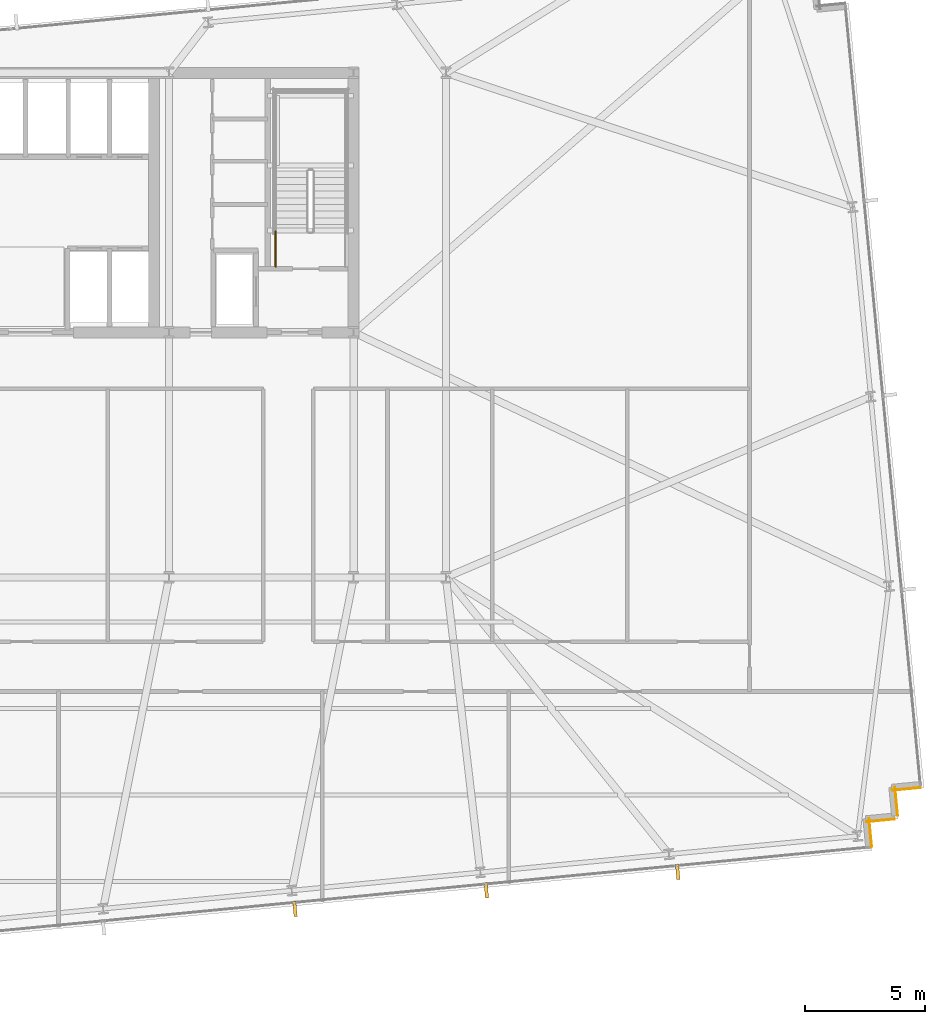
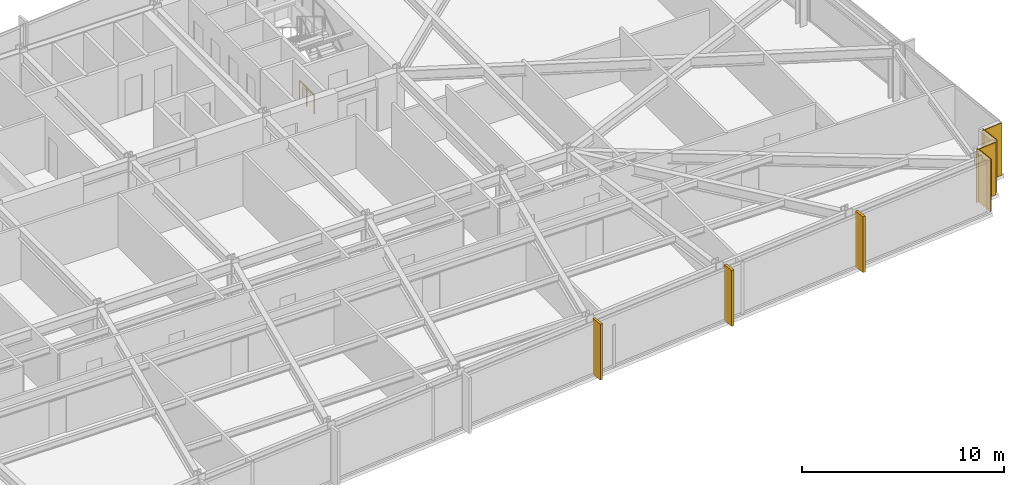
# One storey, part 30 of 33: 4 coverings, 3 shading devices, 1 railing.
"""IFC4 building model written with IfcOpenShell, lengths in metres."""

from ifc_helpers import new_model, si_unit, direction, frame, frame_2d, origin, origin_2d, place, context, subcontext, project, spatial, rectangle, circle, extrude, material, layer, layer_set, type_object, element, save


model = new_model("IFC4")

# Units and contexts
model_context = context("Model", 3, precision=1e-05, world=origin(), true_north=direction((0.0, 1.0)))
body_context = subcontext(model_context, "Body", "Model", "MODEL_VIEW")
ifc_project = project(units=[si_unit("LENGTHUNIT", "METRE"), si_unit("AREAUNIT", "SQUARE_METRE"), si_unit("VOLUMEUNIT", "CUBIC_METRE"), si_unit("PLANEANGLEUNIT", "RADIAN"), si_unit("MASSUNIT", "GRAM", prefix="KILO")], contexts=[model_context])

# Site, building, storey
site_placement = place(None, origin())
site = spatial("IfcSite", under=ifc_project, at=site_placement, CompositionType="ELEMENT")
building_placement = place(site_placement, origin())
building = spatial("IfcBuilding", under=site, at=building_placement, Name="Yelkora Congress Tower", CompositionType="ELEMENT")
storey_placement = place(building_placement, frame((0.0, 0.0, 123.699951171875)))
storey = spatial("IfcBuildingStorey", under=building, at=storey_placement, Name="L33", CompositionType="ELEMENT", Elevation=123.699951171875)

# Coverings
ifc_material_1 = material(Name="Anatolian bush-hammered limestone", Category="masonry")
ifc_layer_1 = layer(ifc_material_1, 0.0400390625)
ifc_layer_set_1 = layer_set([ifc_layer_1], Name="Anatolian bush-hammered limestone")
covering_type = type_object("IfcCoveringType", Name="COV-CLAD-SPANDREL-40", PredefinedType="CLADDING", material=ifc_layer_set_1)
for number, where, z_axis, x_axis, name in (
    (1, (77.360595703125, 16.451416015625, 0.0), (0.0, 0.0, 1.0), (-0.995377661201, -0.096038073607, 0.0), "L33 Anatolian Limestone Cladding EW-L33-SR16"),
    (2, (76.28759765625, 16.483642578125, 0.0), (0.0, 0.0, 1.0), (0.095836473879, -0.995397091755, 0.0), "L33 Anatolian Limestone Cladding EW-L33-SR17"),
    (3, (76.28125, 15.141845703125, 0.0), (0.0, 0.0, 1.0), (-0.995397091755, -0.095836473879, 0.0), "L33 Anatolian Limestone Cladding EW-L33-SR18"),
):
    element("IfcCovering", number, at=place(storey_placement, frame(where, z_axis=z_axis, x_axis=x_axis)), inside=storey, type_object=covering_type, Name=name, PredefinedType="CLADDING", context=body_context, shape_type="SweptSolid", body=[
        extrude(rectangle(XDim=1.199951171875, YDim=0.0400390625, at=frame_2d((0.60009765625, 0.0))), origin(), (0.0, 0.0, 1.0), 3.179931640625),
    ])
covering_placement = place(storey_placement, frame((75.208251953125, 15.17431640625, 0.0), z_axis=(0.0, 0.0, 1.0), x_axis=(0.095817067274, -0.995398960025, 0.0)))
element("IfcCovering", 4, at=covering_placement, inside=storey, type_object=covering_type, Name="L33 Anatolian Limestone Cladding EW-L33-SR19", PredefinedType="CLADDING", context=body_context, shape_type="SweptSolid", body=[
    extrude(rectangle(XDim=1.2001953125, YDim=0.0400390625, at=frame_2d((0.60009765625, 0.0))), origin(), (0.0, 0.0, 1.0), 3.179931640625),
])

# Railing
ifc_material_2 = material(Name="Painted galvanised steel stair well guard with vertical infill", Category="steel")
ifc_layer_2 = layer(ifc_material_2, 0.06005859375)
ifc_layer_set_2 = layer_set([ifc_layer_2], Name="Painted galvanised steel stair well guard with vertical infill")
railing_type = type_object("IfcRailingType", Name="RAIL-STAIR-GUARD-1120", PredefinedType="GUARDRAIL", material=ifc_layer_set_2)
railing_placement = place(storey_placement, frame((50.510009765625, 38.1201171875, 0.0)))
element("IfcRailing", 5, at=railing_placement, inside=storey, type_object=railing_type, Name="ST-02 L33 Stair Well Guardrail 9", PredefinedType="GUARDRAIL", context=body_context, shape_type="SweptSolid", body=[
    extrude(circle(Radius=0.02392578125, at=origin_2d()), frame((0.0, 0.0, 1.09619140625), z_axis=(0.0, 1.0, 0.0), x_axis=(-1.0, 0.0, 0.0)), (0.0, 0.0, 1.0), 1.47998046875),
    extrude(circle(Radius=0.02099609375, at=origin_2d()), origin(), (0.0, 0.0, 1.0), 1.072021484375),
    extrude(circle(Radius=0.02099609375, at=origin_2d()), frame((0.0, 0.739990234375, 0.0)), (0.0, 0.0, 1.0), 1.072021484375),
    extrude(circle(Radius=0.02099609375, at=origin_2d()), frame((0.0, 1.47998046875, 0.0)), (0.0, 0.0, 1.0), 1.072021484375),
])

# Shading devices
ifc_material_3 = material(Name="Champagne anodised aluminium", Category="aluminium")
ifc_layer_3 = layer(ifc_material_3, 3.39990234375)
ifc_layer_set_3 = layer_set([ifc_layer_3], Name="Champagne anodised aluminium")
shading_device_type = type_object("IfcShadingDeviceType", Name="SHD-FIN-ALU-640", PredefinedType="USERDEFINED", material=ifc_layer_set_3)
for number, where, z_axis, x_axis, name in (
    (6, (67.247802734375, 12.94091796875, -0.02978515625), (0.0, 0.0, 1.0), (-0.995396198367, -0.09584575252, 0.0), "L33 Vertical Anodised Solar Fin 20-1"),
    (7, (59.28173828125, 12.173828125, -0.02978515625), (0.0, 0.0, 1.0), (-0.995396198367, -0.09584575252, 0.0), "L33 Vertical Anodised Solar Fin 20-2"),
    (8, (51.315673828125, 11.40673828125, -0.02978515625), (0.0, 0.0, 1.0), (-0.995396198367, -0.09584575252, 0.0), "L33 Vertical Anodised Solar Fin 20-3"),
):
    element("IfcShadingDevice", number, at=place(storey_placement, frame(where, z_axis=z_axis, x_axis=x_axis)), inside=storey, type_object=shading_device_type, Name=name, ObjectType="FIN", PredefinedType="USERDEFINED", context=body_context, shape_type="SweptSolid", body=[
        extrude(rectangle(XDim=0.139892578125, YDim=0.639892578125, at=origin_2d()), origin(), (0.0, 0.0, 1.0), 3.3798828125),
    ])

save(model, "model.ifc")
